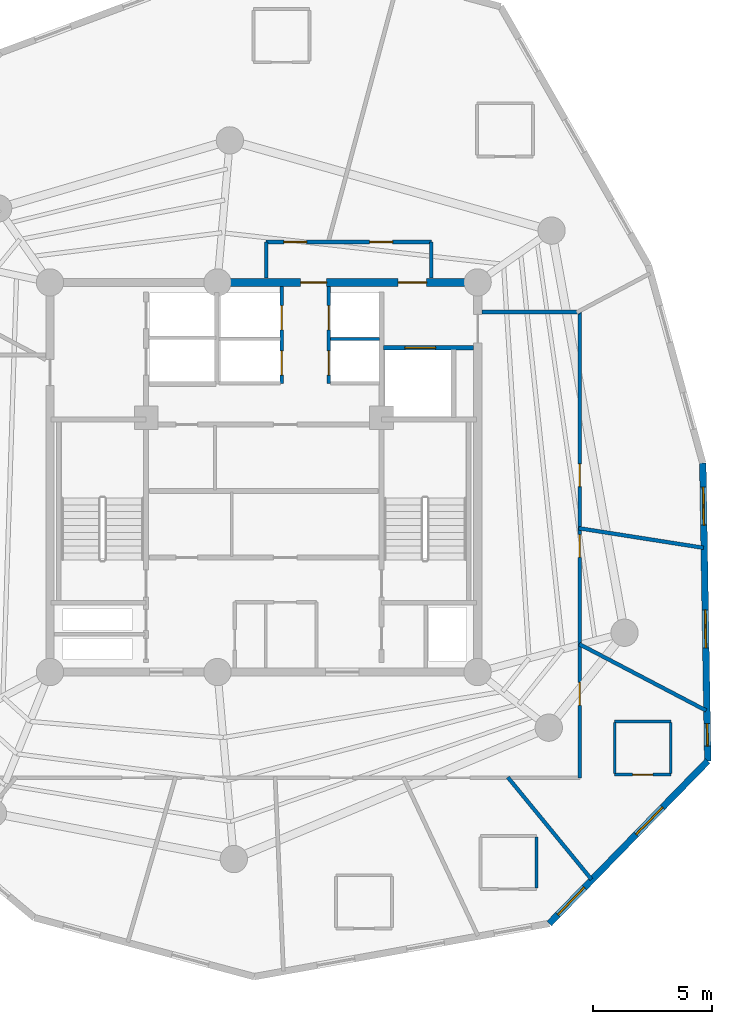
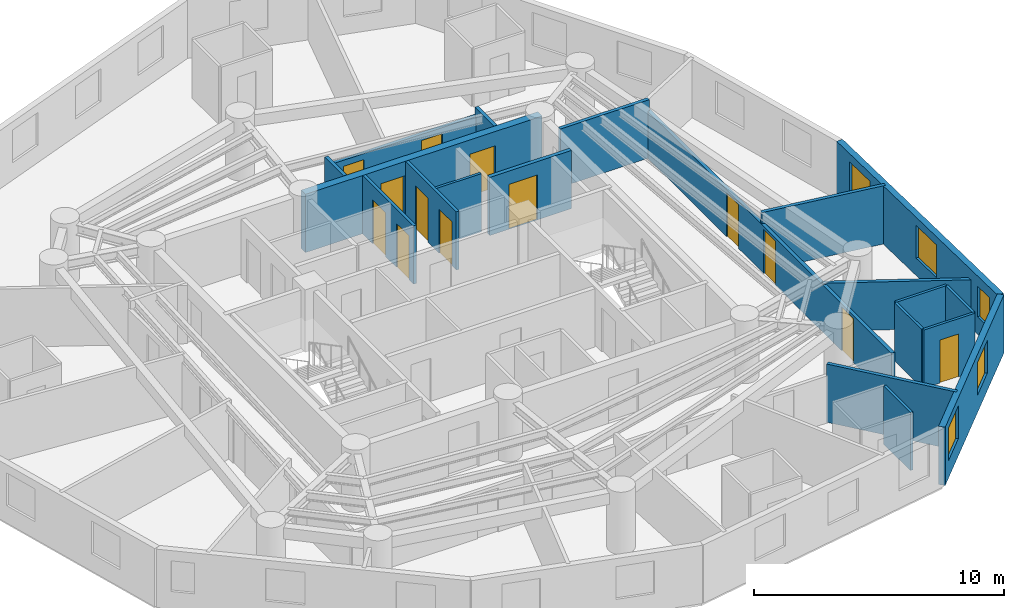
# One storey, part 5 of 7: 20 walls, 13 doors, 5 windows, 18 openings.
"""IFC4 building model written with IfcOpenShell, lengths in metres."""

from ifc_helpers import new_model, si_unit, direction, frame, frame_2d, origin, origin_with_axes, place, context, subcontext, project, spatial, rectangle, extrude, source, transform, mapped, material, layer, layer_set, type_object, element, fill, save


model = new_model("IFC4")

# Units and contexts
model_context = context("Model", 3, precision=1e-05, world=origin(), true_north=direction((0.0, 1.0)))
body_context = subcontext(model_context, "Body", "Model", "MODEL_VIEW")
ifc_project = project(units=[si_unit("LENGTHUNIT", "METRE"), si_unit("AREAUNIT", "SQUARE_METRE"), si_unit("VOLUMEUNIT", "CUBIC_METRE"), si_unit("PLANEANGLEUNIT", "RADIAN"), si_unit("MASSUNIT", "GRAM", prefix="KILO")], contexts=[model_context])

# Site, building, storey
site_placement = place(None, origin())
site = spatial("IfcSite", under=ifc_project, at=site_placement, CompositionType="ELEMENT")
building_placement = place(site_placement, origin())
building = spatial("IfcBuilding", under=site, at=building_placement, Name="Karkom Vertical University and Central Library", CompositionType="ELEMENT")
storey_placement = place(building_placement, frame((0.0, 0.0, 226.050048828125)))
storey = spatial("IfcBuildingStorey", under=building, at=storey_placement, Name="L66", CompositionType="ELEMENT", Elevation=226.050048828125)

# Wall, openings, windows
ifc_material_1 = material(Name="Brick-faced precast concrete C45/55", Category="masonry")
ifc_layer_1 = layer(ifc_material_1, 0.280029296875)
ifc_layer_set_1 = layer_set([ifc_layer_1], Name="Brick-faced precast concrete C45/55")
wall_type_1 = type_object("IfcWallType", Name="ENV-WL-BRK-280", PredefinedType="SOLIDWALL", material=ifc_layer_set_1)
wall_1_placement = place(storey_placement, frame((40.5166015625, 7.71728515625, 0.0), z_axis=(0.0, 0.0, 1.0), x_axis=(0.69791379091, 0.716181778921, 0.0)))
wall_1 = element("IfcWall", 1, at=wall_1_placement, inside=storey, type_object=wall_type_1, Name="Level 66 Brick-Faced Precast Facade Wall 05", PredefinedType="SOLIDWALL", context=body_context, shape_type="SweptSolid", body=[
    extrude(rectangle(XDim=9.5556640625, YDim=0.280029296875, at=frame_2d((4.77783203125, 0.0))), origin(), (0.0, 0.0, 1.0), 2.849853515625),
])
opening_1_placement = place(wall_1_placement, frame((0.516845703125, 0.0, 0.85009765625)))
opening_1 = element("IfcOpeningElement", 2, at=opening_1_placement, cuts=wall_1, Name="Opening WN-10", PredefinedType="OPENING", context=body_context, shape_type="SweptSolid", body=[
    extrude(rectangle(XDim=1.60009765625, YDim=1.60009765625, at=frame_2d((0.800048828125, 0.800048828125))), frame((0.0, 0.14990234375, 0.0), z_axis=(0.0, -1.0, 0.0), x_axis=(1.0, 0.0, 0.0)), (0.0, 0.0, 1.0), 0.300048828125),
])
opening_2_placement = place(wall_1_placement, frame((5.234619140625, 0.0, 0.85009765625)))
opening_2 = element("IfcOpeningElement", 3, at=opening_2_placement, cuts=wall_1, Name="Opening WN-10", PredefinedType="OPENING", context=body_context, shape_type="SweptSolid", body=[
    extrude(rectangle(XDim=1.60009765625, YDim=1.60009765625, at=frame_2d((0.800048828125, 0.800048828125))), frame((0.0, 0.14990234375, 0.0), z_axis=(0.0, -1.0, 0.0), x_axis=(1.0, 0.0, 0.0)), (0.0, 0.0, 1.0), 0.300048828125),
])
ifc_material_2 = material(Name="Aluminium thermal-break frame with solar-control IGU", Category="aluminium")
window_type_1 = type_object("IfcWindowType", Name="ENV-WIN-WN-10", PartitioningType="SINGLE_PANEL", PredefinedType="WINDOW", material=ifc_material_2)
shared_shape_1 = source(origin_with_axes(), body_context, "Body", "SweptSolid", [
    extrude(rectangle(XDim=1.60009765625, YDim=1.60009765625, at=frame_2d((0.800048828125, 0.800048828125))), frame((0.0, 0.030029296875, 0.0), z_axis=(0.0, -1.0, 0.0), x_axis=(1.0, 0.0, 0.0)), (0.0, 0.0, 1.0), 0.06005859375),
])
window_1_placement = place(opening_1_placement, origin())
window_1 = element("IfcWindow", 4, at=window_1_placement, inside=storey, type_object=window_type_1, Name="Level 66 Punched Window 5.1", OverallHeight=1.60009765625, OverallWidth=1.60009765625, PartitioningType="SINGLE_PANEL", PredefinedType="WINDOW", context=body_context, shape_type="MappedRepresentation", body=[
    mapped(shared_shape_1, transform((0.0, 0.0, 0.0), scale=1.0)),
])
fill(opening_1, window_1)
window_2_placement = place(opening_2_placement, origin())
window_2 = element("IfcWindow", 5, at=window_2_placement, inside=storey, type_object=window_type_1, Name="Level 66 Punched Window 5.2", OverallHeight=1.60009765625, OverallWidth=1.60009765625, PartitioningType="SINGLE_PANEL", PredefinedType="WINDOW", context=body_context, shape_type="MappedRepresentation", body=[
    mapped(shared_shape_1, transform((0.0, 0.0, 0.0), scale=1.0)),
])
fill(opening_2, window_2)

wall_2_placement = place(storey_placement, frame((47.185546875, 14.560791015625, 0.0), z_axis=(0.0, 0.0, 1.0), x_axis=(-0.016682840426, 0.999860831734, 0.0)))
wall_2 = element("IfcWall", 6, at=wall_2_placement, inside=storey, type_object=wall_type_1, Name="Level 66 Brick-Faced Precast Facade Wall 06", PredefinedType="SOLIDWALL", context=body_context, shape_type="SweptSolid", body=[
    extrude(rectangle(XDim=12.54150390625, YDim=0.280029296875, at=frame_2d((6.270751953125, 0.0))), origin(), (0.0, 0.0, 1.0), 2.849853515625),
])
opening_3_placement = place(wall_2_placement, frame((0.623779296875, 0.0, 0.85009765625)))
opening_3 = element("IfcOpeningElement", 7, at=opening_3_placement, cuts=wall_2, Name="Opening WN-12", PredefinedType="OPENING", context=body_context, shape_type="SweptSolid", body=[
    extrude(rectangle(XDim=0.949951171875, YDim=1.5, at=frame_2d((0.47509765625, 0.75))), frame((0.0, 0.14990234375, 0.0), z_axis=(0.0, -1.0, 0.0), x_axis=(1.0, 0.0, 0.0)), (0.0, 0.0, 1.0), 0.300048828125),
])
opening_4_placement = place(wall_2_placement, frame((4.756591796875, 0.0, 0.85009765625)))
opening_4 = element("IfcOpeningElement", 8, at=opening_4_placement, cuts=wall_2, Name="Opening WN-10", PredefinedType="OPENING", context=body_context, shape_type="SweptSolid", body=[
    extrude(rectangle(XDim=1.60009765625, YDim=1.60009765625, at=frame_2d((0.800048828125, 0.800048828125))), frame((0.0, 0.14990234375, 0.0), z_axis=(0.0, -1.0, 0.0), x_axis=(1.0, 0.0, 0.0)), (0.0, 0.0, 1.0), 0.300048828125),
])
opening_5_placement = place(wall_2_placement, frame((9.928466796875, 0.0, 0.85009765625)))
opening_5 = element("IfcOpeningElement", 9, at=opening_5_placement, cuts=wall_2, Name="Opening WN-10", PredefinedType="OPENING", context=body_context, shape_type="SweptSolid", body=[
    extrude(rectangle(XDim=1.60009765625, YDim=1.60009765625, at=frame_2d((0.800048828125, 0.800048828125))), frame((0.0, 0.14990234375, 0.0), z_axis=(0.0, -1.0, 0.0), x_axis=(1.0, 0.0, 0.0)), (0.0, 0.0, 1.0), 0.300048828125),
])
window_type_2 = type_object("IfcWindowType", Name="ENV-WIN-WN-12", PartitioningType="SINGLE_PANEL", PredefinedType="WINDOW", material=ifc_material_2)
shared_shape_2 = source(origin_with_axes(), body_context, "Body", "SweptSolid", [
    extrude(rectangle(XDim=0.949951171875, YDim=1.5, at=frame_2d((0.47509765625, 0.75))), frame((0.0, 0.030029296875, 0.0), z_axis=(0.0, -1.0, 0.0), x_axis=(1.0, 0.0, 0.0)), (0.0, 0.0, 1.0), 0.06005859375),
])
window_3_placement = place(opening_3_placement, origin())
window_3 = element("IfcWindow", 10, at=window_3_placement, inside=storey, type_object=window_type_2, Name="Level 66 Punched Window 6.1", OverallHeight=1.5, OverallWidth=0.949951171875, PartitioningType="SINGLE_PANEL", PredefinedType="WINDOW", context=body_context, shape_type="MappedRepresentation", body=[
    mapped(shared_shape_2, transform((0.0, 0.0, 0.0), scale=1.0)),
])
fill(opening_3, window_3)
window_4_placement = place(opening_4_placement, origin())
window_4 = element("IfcWindow", 11, at=window_4_placement, inside=storey, type_object=window_type_1, Name="Level 66 Punched Window 6.2", OverallHeight=1.60009765625, OverallWidth=1.60009765625, PartitioningType="SINGLE_PANEL", PredefinedType="WINDOW", context=body_context, shape_type="MappedRepresentation", body=[
    mapped(shared_shape_1, transform((0.0, 0.0, 0.0), scale=1.0)),
])
fill(opening_4, window_4)
window_5_placement = place(opening_5_placement, origin())
window_5 = element("IfcWindow", 12, at=window_5_placement, inside=storey, type_object=window_type_1, Name="Level 66 Punched Window 6.3", OverallHeight=1.60009765625, OverallWidth=1.60009765625, PartitioningType="SINGLE_PANEL", PredefinedType="WINDOW", context=body_context, shape_type="MappedRepresentation", body=[
    mapped(shared_shape_1, transform((0.0, 0.0, 0.0), scale=1.0)),
])
fill(opening_5, window_5)

# Wall, openings, doors
ifc_material_3 = material(Name="Insulated metal-stud drywall 160mm", Category="gypsum")
ifc_layer_2 = layer(ifc_material_3, 0.159912109375)
ifc_layer_set_2 = layer_set([ifc_layer_2], Name="Insulated metal-stud drywall 160mm")
wall_type_2 = type_object("IfcWallType", Name="INT-WL-COR-160", PredefinedType="PARTITIONING", material=ifc_layer_set_2)
wall_3_placement = place(storey_placement, frame((41.800048828125, 33.449951171875, 0.0), z_axis=(0.0, 0.0, 1.0), x_axis=(0.0, -1.0, 0.0)))
wall_3 = element("IfcWall", 13, at=wall_3_placement, inside=storey, type_object=wall_type_2, Name="Level 66 Interior Partition Wall L66-CORW-CW-005", PredefinedType="PARTITIONING", context=body_context, shape_type="SweptSolid", body=[
    extrude(rectangle(XDim=19.599853515625, YDim=0.159912109375, at=frame_2d((9.7998046875, 0.0))), origin(), (0.0, 0.0, 1.0), 2.300048828125),
])
opening_6_placement = place(wall_3_placement, frame((15.587890625, 0.0, 0.0)))
opening_6 = element("IfcOpeningElement", 14, at=opening_6_placement, cuts=wall_3, Name="Opening FD-RM2", PredefinedType="OPENING", context=body_context, shape_type="SweptSolid", body=[
    extrude(rectangle(XDim=0.9599609375, YDim=2.14990234375, at=frame_2d((0.47998046875, 1.074951171875))), frame((0.0, 0.08984375, 0.0), z_axis=(0.0, -1.0, 0.0), x_axis=(1.0, 0.0, 0.0)), (0.0, 0.0, 1.0), 0.179931640625),
])
opening_7_placement = place(wall_3_placement, frame((9.364990234375, 0.0, 0.0)))
opening_7 = element("IfcOpeningElement", 15, at=opening_7_placement, cuts=wall_3, Name="Opening FD-RM2", PredefinedType="OPENING", context=body_context, shape_type="SweptSolid", body=[
    extrude(rectangle(XDim=0.9599609375, YDim=2.14990234375, at=frame_2d((0.47998046875, 1.074951171875))), frame((0.0, 0.08984375, 0.0), z_axis=(0.0, -1.0, 0.0), x_axis=(1.0, 0.0, 0.0)), (0.0, 0.0, 1.0), 0.179931640625),
])
opening_8_placement = place(wall_3_placement, frame((6.385009765625, 0.0, 0.0)))
opening_8 = element("IfcOpeningElement", 16, at=opening_8_placement, cuts=wall_3, Name="Opening FD-RM2", PredefinedType="OPENING", context=body_context, shape_type="SweptSolid", body=[
    extrude(rectangle(XDim=0.9599609375, YDim=2.14990234375, at=frame_2d((0.47998046875, 1.074951171875))), frame((0.0, 0.08984375, 0.0), z_axis=(0.0, -1.0, 0.0), x_axis=(1.0, 0.0, 0.0)), (0.0, 0.0, 1.0), 0.179931640625),
])
ifc_material_4 = material(Name="Fire-rated oak veneer door", Category="wood")
door_type_1 = type_object("IfcDoorType", Name="INT-DR-FRM2", OperationType="NOTDEFINED", PredefinedType="DOOR", material=ifc_material_4)
shared_shape_3 = source(origin_with_axes(), body_context, "Body", "SweptSolid", [
    extrude(rectangle(XDim=0.9599609375, YDim=2.14990234375, at=frame_2d((0.47998046875, 1.074951171875))), frame((0.0, 0.02490234375, 0.0), z_axis=(0.0, -1.0, 0.0), x_axis=(1.0, 0.0, 0.0)), (0.0, 0.0, 1.0), 0.050048828125),
])
door_1_placement = place(opening_6_placement, origin())
door_1 = element("IfcDoor", 17, at=door_1_placement, inside=storey, type_object=door_type_1, Name="Level 66 Room Entry Door 414", OperationType="SINGLE_SWING_RIGHT", OverallHeight=2.14990234375, OverallWidth=0.9599609375, PredefinedType="DOOR", context=body_context, shape_type="MappedRepresentation", body=[
    mapped(shared_shape_3, transform((0.0, 0.0, 0.0), scale=1.0)),
])
fill(opening_6, door_1)
door_2_placement = place(opening_7_placement, origin())
door_2 = element("IfcDoor", 18, at=door_2_placement, inside=storey, type_object=door_type_1, Name="Level 66 Room Entry Door 308", OperationType="SINGLE_SWING_RIGHT", OverallHeight=2.14990234375, OverallWidth=0.9599609375, PredefinedType="DOOR", context=body_context, shape_type="MappedRepresentation", body=[
    mapped(shared_shape_3, transform((0.0, 0.0, 0.0), scale=1.0)),
])
fill(opening_7, door_2)
door_3_placement = place(opening_8_placement, origin())
door_3 = element("IfcDoor", 19, at=door_3_placement, inside=storey, type_object=door_type_1, Name="Level 66 Room Entry Door 309", OperationType="SINGLE_SWING_LEFT", OverallHeight=2.14990234375, OverallWidth=0.9599609375, PredefinedType="DOOR", context=body_context, shape_type="MappedRepresentation", body=[
    mapped(shared_shape_3, transform((0.0, 0.0, 0.0), scale=1.0)),
])
fill(opening_8, door_3)

wall_4_placement = place(storey_placement, frame((28.60009765625, 36.39990234375, 0.0), z_axis=(0.0, 0.0, 1.0), x_axis=(1.0, 0.0, 0.0)))
wall_4 = element("IfcWall", 20, at=wall_4_placement, inside=storey, type_object=wall_type_2, Name="Level 66 Interior Partition Wall L66-CORW-CW-007", PredefinedType="PARTITIONING", context=body_context, shape_type="SweptSolid", body=[
    extrude(rectangle(XDim=6.949951171875, YDim=0.159912109375, at=frame_2d((3.47509765625, 0.0))), origin(), (0.0, 0.0, 1.0), 2.449951171875),
])
opening_9_placement = place(wall_4_placement, frame((4.358154296875, 0.0, 0.0)))
opening_9 = element("IfcOpeningElement", 21, at=opening_9_placement, cuts=wall_4, Name="Opening FD-RM2", PredefinedType="OPENING", context=body_context, shape_type="SweptSolid", body=[
    extrude(rectangle(XDim=0.9599609375, YDim=2.14990234375, at=frame_2d((0.47998046875, 1.074951171875))), frame((0.0, 0.08984375, 0.0), z_axis=(0.0, -1.0, 0.0), x_axis=(1.0, 0.0, 0.0)), (0.0, 0.0, 1.0), 0.179931640625),
])
opening_10_placement = place(wall_4_placement, frame((0.740966796875, 0.0, 0.0)))
opening_10 = element("IfcOpeningElement", 22, at=opening_10_placement, cuts=wall_4, Name="Opening FD-RM2", PredefinedType="OPENING", context=body_context, shape_type="SweptSolid", body=[
    extrude(rectangle(XDim=0.9599609375, YDim=2.14990234375, at=frame_2d((0.47998046875, 1.074951171875))), frame((0.0, 0.08984375, 0.0), z_axis=(0.0, -1.0, 0.0), x_axis=(1.0, 0.0, 0.0)), (0.0, 0.0, 1.0), 0.179931640625),
])
door_4_placement = place(opening_9_placement, origin())
door_4 = element("IfcDoor", 23, at=door_4_placement, inside=storey, type_object=door_type_1, Name="Level 66 Room Entry Door 420", OperationType="SINGLE_SWING_RIGHT", OverallHeight=2.14990234375, OverallWidth=0.9599609375, PredefinedType="DOOR", context=body_context, shape_type="MappedRepresentation", body=[
    mapped(shared_shape_3, transform((0.0, 0.0, 0.0), scale=1.0)),
])
fill(opening_9, door_4)
door_5_placement = place(opening_10_placement, origin())
door_5 = element("IfcDoor", 24, at=door_5_placement, inside=storey, type_object=door_type_1, Name="Level 66 Room Entry Door 422", OperationType="SINGLE_SWING_RIGHT", OverallHeight=2.14990234375, OverallWidth=0.9599609375, PredefinedType="DOOR", context=body_context, shape_type="MappedRepresentation", body=[
    mapped(shared_shape_3, transform((0.0, 0.0, 0.0), scale=1.0)),
])
fill(opening_10, door_5)

# Walls
wall_5_placement = place(storey_placement, frame((41.7734375, 19.479736328125, 0.0), z_axis=(0.0, 0.0, 1.0), x_axis=(0.885850546282, -0.463970699131, 0.0)))
element("IfcWall", 25, at=wall_5_placement, inside=storey, type_object=wall_type_2, Name="Level 66 Interior Partition Wall L66-PW-010", PredefinedType="PARTITIONING", context=body_context, shape_type="SweptSolid", body=[
    extrude(rectangle(XDim=6.0322265625, YDim=0.159912109375, at=frame_2d((3.01611328125, 0.0))), origin(), (0.0, 0.0, 1.0), 2.349853515625),
])
wall_6_placement = place(storey_placement, frame((38.77001953125, 13.873291015625, 0.0), z_axis=(0.0, 0.0, 1.0), x_axis=(0.633835753928, -0.773467670328, 0.0)))
element("IfcWall", 26, at=wall_6_placement, inside=storey, type_object=wall_type_2, Name="Level 66 Interior Partition Wall L66-PW-009", PredefinedType="PARTITIONING", context=body_context, shape_type="SweptSolid", body=[
    extrude(rectangle(XDim=5.556640625, YDim=0.159912109375, at=frame_2d((2.7783203125, 0.0))), origin(), (0.0, 0.0, 1.0), 2.849853515625),
])
wall_7_placement = place(storey_placement, frame((41.755615234375, 24.354736328125, 0.0), z_axis=(0.0, 0.0, 1.0), x_axis=(0.987863244452, -0.155326141587, 0.0)))
element("IfcWall", 27, at=wall_7_placement, inside=storey, type_object=wall_type_2, Name="Level 66 Interior Partition Wall L66-PW-011", PredefinedType="PARTITIONING", context=body_context, shape_type="SweptSolid", body=[
    extrude(rectangle(XDim=5.31884765625, YDim=0.159912109375, at=frame_2d((2.659423828125, 0.0))), origin(), (0.0, 0.0, 1.0), 2.849853515625),
])
wall_8_placement = place(storey_placement, frame((37.681884765625, 33.449951171875, 0.0), z_axis=(0.0, 0.0, 1.0), x_axis=(1.0, 0.0, 0.0)))
element("IfcWall", 28, at=wall_8_placement, inside=storey, type_object=wall_type_2, Name="Level 66 Interior Partition Wall L66-CORW-CW-004", PredefinedType="PARTITIONING", context=body_context, shape_type="SweptSolid", body=[
    extrude(rectangle(XDim=4.1181640625, YDim=0.159912109375, at=frame_2d((2.05908203125, 0.0))), origin(), (0.0, 0.0, 1.0), 2.849853515625),
])
for number, where, z_axis, x_axis, name in (
    (29, (28.60009765625, 34.882080078125, 0.0), (0.0, 0.0, 1.0), (0.0, 1.0, 0.0), "Level 66 Interior Partition Wall L66-CORW-CW-006"),
    (30, (35.550048828125, 36.39990234375, 0.0), (0.0, 0.0, 1.0), (0.0, -1.0, 0.0), "Level 66 Interior Partition Wall L66-CORW-CW-008"),
):
    element("IfcWall", number, at=place(storey_placement, frame(where, z_axis=z_axis, x_axis=x_axis)), inside=storey, type_object=wall_type_2, Name=name, PredefinedType="PARTITIONING", context=body_context, shape_type="SweptSolid", body=[
        extrude(rectangle(XDim=1.517822265625, YDim=0.159912109375, at=frame_2d((0.7587890625, 0.0))), origin(), (0.0, 0.0, 1.0), 2.849853515625),
    ])

# Wall, opening, door
ifc_material_5 = material(Name="Moisture-resistant drywall 120mm", Category="gypsum")
ifc_layer_3 = layer(ifc_material_5, 0.1201171875)
ifc_layer_set_3 = layer_set([ifc_layer_3], Name="Moisture-resistant drywall 120mm")
wall_type_3 = type_object("IfcWallType", Name="INT-WL-INT-120F", PredefinedType="PARTITIONING", material=ifc_layer_set_3)
wall_9_placement = place(storey_placement, frame((43.27001953125, 13.98291015625, 0.0), z_axis=(0.0, 0.0, 1.0), x_axis=(1.0, 0.0, 0.0)))
wall_9 = element("IfcWall", 31, at=wall_9_placement, inside=storey, type_object=wall_type_3, Name="Level 66 Interior Partition Wall L66-ENS-47-S", PredefinedType="PARTITIONING", context=body_context, shape_type="SweptSolid", body=[
    extrude(rectangle(XDim=2.35986328125, YDim=0.1201171875, at=frame_2d((1.179931640625, 0.0))), origin(), (0.0, 0.0, 1.0), 2.849853515625),
])
opening_11_placement = place(wall_9_placement, frame((0.75, 0.0, 0.0)))
opening_11 = element("IfcOpeningElement", 32, at=opening_11_placement, cuts=wall_9, Name="Opening D-BATH", PredefinedType="OPENING", context=body_context, shape_type="SweptSolid", body=[
    extrude(rectangle(XDim=0.860107421875, YDim=2.10009765625, at=frame_2d((0.43017578125, 1.050048828125))), frame((0.0, 0.070068359375, 0.0), z_axis=(0.0, -1.0, 0.0), x_axis=(1.0, 0.0, 0.0)), (0.0, 0.0, 1.0), 0.14013671875),
])
ifc_material_6 = material(Name="Moisture-resistant oak door", Category="wood")
door_type_2 = type_object("IfcDoorType", Name="INT-DR-BATH", OperationType="NOTDEFINED", PredefinedType="DOOR", material=ifc_material_6)
shared_shape_4 = source(origin_with_axes(), body_context, "Body", "SweptSolid", [
    extrude(rectangle(XDim=0.860107421875, YDim=2.10009765625, at=frame_2d((0.43017578125, 1.050048828125))), frame((0.0, 0.02490234375, 0.0), z_axis=(0.0, -1.0, 0.0), x_axis=(1.0, 0.0, 0.0)), (0.0, 0.0, 1.0), 0.050048828125),
])
door_6_placement = place(opening_11_placement, origin())
door_6 = element("IfcDoor", 33, at=door_6_placement, inside=storey, type_object=door_type_2, Name="Level 66 En-Suite Bathroom Door 47", OperationType="SINGLE_SWING_LEFT", OverallHeight=2.10009765625, OverallWidth=0.860107421875, PredefinedType="DOOR", context=body_context, shape_type="MappedRepresentation", body=[
    mapped(shared_shape_4, transform((0.0, 0.0, 0.0), scale=1.0)),
])
fill(opening_11, door_6)

# Walls
wall_10_placement = place(storey_placement, frame((45.6298828125, 16.222900390625, 0.0), z_axis=(0.0, 0.0, 1.0), x_axis=(-1.0, 0.0, 0.0)))
element("IfcWall", 34, at=wall_10_placement, inside=storey, type_object=wall_type_3, Name="Level 66 Interior Partition Wall L66-ENS-47-N", PredefinedType="PARTITIONING", context=body_context, shape_type="SweptSolid", body=[
    extrude(rectangle(XDim=2.35986328125, YDim=0.1201171875, at=frame_2d((1.179931640625, 0.0))), origin(), (0.0, 0.0, 1.0), 2.849853515625),
])
wall_11_placement = place(storey_placement, frame((39.97998046875, 9.217041015625, 0.0), z_axis=(0.0, 0.0, 1.0), x_axis=(0.0, 1.0, 0.0)))
element("IfcWall", 35, at=wall_11_placement, inside=storey, type_object=wall_type_3, Name="Level 66 Interior Partition Wall L66-ENS-46-E", PredefinedType="PARTITIONING", context=body_context, shape_type="SweptSolid", body=[
    extrude(rectangle(XDim=2.139892578125, YDim=0.1201171875, at=frame_2d((1.06982421875, 0.0))), origin(), (0.0, 0.0, 1.0), 2.849853515625),
])
for number, where, z_axis, x_axis, name in (
    (36, (45.6298828125, 14.032958984375, 0.0), (0.0, 0.0, 1.0), (0.0, 1.0, 0.0), "Level 66 Interior Partition Wall L66-ENS-47-E"),
    (37, (43.27001953125, 16.173095703125, 0.0), (0.0, 0.0, 1.0), (0.0, -1.0, 0.0), "Level 66 Interior Partition Wall L66-ENS-47-W"),
):
    element("IfcWall", number, at=place(storey_placement, frame(where, z_axis=z_axis, x_axis=x_axis)), inside=storey, type_object=wall_type_3, Name=name, PredefinedType="PARTITIONING", context=body_context, shape_type="SweptSolid", body=[
        extrude(rectangle(XDim=2.14013671875, YDim=0.1201171875, at=frame_2d((1.070068359375, 0.0))), origin(), (0.0, 0.0, 1.0), 2.849853515625),
    ])
ifc_layer_4 = layer(ifc_material_5, 0.1201171875)
ifc_layer_set_4 = layer_set([ifc_layer_4], Name="Moisture-resistant drywall 120mm")
wall_type_4 = type_object("IfcWallType", Name="INT-WL-INT-120H", PredefinedType="PARTITIONING", material=ifc_layer_set_4)
wall_12_placement = place(storey_placement, frame((31.300048828125, 32.320068359375, 0.0), z_axis=(0.0, 0.0, 1.0), x_axis=(1.0, 0.0, 0.0)))
element("IfcWall", 38, at=wall_12_placement, inside=storey, type_object=wall_type_4, Name="Level 66 Interior Partition Wall L66-CW-PH-ME", PredefinedType="PARTITIONING", context=body_context, shape_type="SweptSolid", body=[
    extrude(rectangle(XDim=2.074951171875, YDim=0.1201171875, at=frame_2d((1.03759765625, 0.0))), origin(), (0.0, 0.0, 1.0), 2.849853515625),
])

# Wall, openings, doors
ifc_material_7 = material(Name="Metal-stud gypsum partition 140mm", Category="gypsum")
ifc_layer_5 = layer(ifc_material_7, 0.139892578125)
ifc_layer_set_5 = layer_set([ifc_layer_5], Name="Metal-stud gypsum partition 140mm")
wall_type_5 = type_object("IfcWallType", Name="INT-WL-SUB-140H", PredefinedType="PARTITIONING", material=ifc_layer_set_5)
wall_13_placement = place(storey_placement, frame((29.260009765625, 30.449951171875, 0.0), z_axis=(0.0, 0.0, 1.0), x_axis=(0.0, 1.0, 0.0)))
wall_13 = element("IfcWall", 39, at=wall_13_placement, inside=storey, type_object=wall_type_5, Name="Level 66 Interior Partition Wall L66-CW-PH-W", PredefinedType="PARTITIONING", context=body_context, shape_type="SweptSolid", body=[
    extrude(rectangle(XDim=4.068115234375, YDim=0.139892578125, at=frame_2d((2.0341796875, 0.0))), origin(), (0.0, 0.0, 1.0), 2.849853515625),
])
opening_12_placement = place(wall_13_placement, frame((0.35009765625, 0.0, 0.0)))
opening_12 = element("IfcOpeningElement", 40, at=opening_12_placement, cuts=wall_13, Name="Opening LD-PH", PredefinedType="OPENING", context=body_context, shape_type="SweptSolid", body=[
    extrude(rectangle(XDim=1.02001953125, YDim=2.14990234375, at=frame_2d((0.510009765625, 1.074951171875))), frame((0.0, 0.080078125, 0.0), z_axis=(0.0, -1.0, 0.0), x_axis=(1.0, 0.0, 0.0)), (0.0, 0.0, 1.0), 0.159912109375),
])
opening_13_placement = place(wall_13_placement, frame((2.25, 0.0, 0.0)))
opening_13 = element("IfcOpeningElement", 41, at=opening_13_placement, cuts=wall_13, Name="Opening LD-PH", PredefinedType="OPENING", context=body_context, shape_type="SweptSolid", body=[
    extrude(rectangle(XDim=1.02001953125, YDim=2.14990234375, at=frame_2d((0.510009765625, 1.074951171875))), frame((0.0, 0.080078125, 0.0), z_axis=(0.0, -1.0, 0.0), x_axis=(1.0, 0.0, 0.0)), (0.0, 0.0, 1.0), 0.159912109375),
])
ifc_material_8 = material(Name="Brushed stainless-steel landing door", Category="steel")
door_type_3 = type_object("IfcDoorType", Name="INT-DR-LD-PH", OperationType="SLIDING_TO_LEFT", PredefinedType="DOOR", material=ifc_material_8)
shared_shape_5 = source(origin_with_axes(), body_context, "Body", "SweptSolid", [
    extrude(rectangle(XDim=1.02001953125, YDim=2.14990234375, at=frame_2d((0.510009765625, 1.074951171875))), frame((0.0, 0.02490234375, 0.0), z_axis=(0.0, -1.0, 0.0), x_axis=(1.0, 0.0, 0.0)), (0.0, 0.0, 1.0), 0.050048828125),
])
door_7_placement = place(opening_12_placement, origin())
door_7 = element("IfcDoor", 42, at=door_7_placement, inside=storey, type_object=door_type_3, Name="Level 66 Lift PH-1 Landing Door", OperationType="SLIDING_TO_LEFT", OverallHeight=2.14990234375, OverallWidth=1.02001953125, PredefinedType="DOOR", context=body_context, shape_type="MappedRepresentation", body=[
    mapped(shared_shape_5, transform((0.0, 0.0, 0.0), scale=1.0)),
])
fill(opening_12, door_7)
door_8_placement = place(opening_13_placement, origin())
door_8 = element("IfcDoor", 43, at=door_8_placement, inside=storey, type_object=door_type_3, Name="Level 66 Lift PH-2 Landing Door", OperationType="SLIDING_TO_LEFT", OverallHeight=2.14990234375, OverallWidth=1.02001953125, PredefinedType="DOOR", context=body_context, shape_type="MappedRepresentation", body=[
    mapped(shared_shape_5, transform((0.0, 0.0, 0.0), scale=1.0)),
])
fill(opening_13, door_8)

wall_14_placement = place(storey_placement, frame((31.239990234375, 30.449951171875, 0.0), z_axis=(0.0, 0.0, 1.0), x_axis=(0.0, 1.0, 0.0)))
wall_14 = element("IfcWall", 44, at=wall_14_placement, inside=storey, type_object=wall_type_5, Name="Level 66 Interior Partition Wall L66-CW-PH-E", PredefinedType="PARTITIONING", context=body_context, shape_type="SweptSolid", body=[
    extrude(rectangle(XDim=4.068115234375, YDim=0.139892578125, at=frame_2d((2.0341796875, 0.0))), origin(), (0.0, 0.0, 1.0), 2.849853515625),
])
opening_14_placement = place(wall_14_placement, frame((0.35009765625, 0.0, 0.0)))
opening_14 = element("IfcOpeningElement", 45, at=opening_14_placement, cuts=wall_14, Name="Opening LD-PH", PredefinedType="OPENING", context=body_context, shape_type="SweptSolid", body=[
    extrude(rectangle(XDim=1.02001953125, YDim=2.14990234375, at=frame_2d((0.510009765625, 1.074951171875))), frame((0.0, 0.080078125, 0.0), z_axis=(0.0, -1.0, 0.0), x_axis=(1.0, 0.0, 0.0)), (0.0, 0.0, 1.0), 0.159912109375),
])
opening_15_placement = place(wall_14_placement, frame((2.25, 0.0, 0.0)))
opening_15 = element("IfcOpeningElement", 46, at=opening_15_placement, cuts=wall_14, Name="Opening LD-PH", PredefinedType="OPENING", context=body_context, shape_type="SweptSolid", body=[
    extrude(rectangle(XDim=1.02001953125, YDim=2.14990234375, at=frame_2d((0.510009765625, 1.074951171875))), frame((0.0, 0.080078125, 0.0), z_axis=(0.0, -1.0, 0.0), x_axis=(1.0, 0.0, 0.0)), (0.0, 0.0, 1.0), 0.159912109375),
])
door_9_placement = place(opening_14_placement, origin())
door_9 = element("IfcDoor", 47, at=door_9_placement, inside=storey, type_object=door_type_3, Name="Level 66 Lift PH-3 Landing Door", OperationType="SLIDING_TO_LEFT", OverallHeight=2.14990234375, OverallWidth=1.02001953125, PredefinedType="DOOR", context=body_context, shape_type="MappedRepresentation", body=[
    mapped(shared_shape_5, transform((0.0, 0.0, 0.0), scale=1.0)),
])
fill(opening_14, door_9)
door_10_placement = place(opening_15_placement, origin())
door_10 = element("IfcDoor", 48, at=door_10_placement, inside=storey, type_object=door_type_3, Name="Level 66 Lift PH-4 Landing Door", OperationType="SLIDING_TO_LEFT", OverallHeight=2.14990234375, OverallWidth=1.02001953125, PredefinedType="DOOR", context=body_context, shape_type="MappedRepresentation", body=[
    mapped(shared_shape_5, transform((0.0, 0.0, 0.0), scale=1.0)),
])
fill(opening_15, door_10)

# Wall, opening, door
ifc_material_9 = material(Name="Twin-stud acoustic drywall 180mm", Category="gypsum")
ifc_layer_6 = layer(ifc_material_9, 0.179931640625)
ifc_layer_set_6 = layer_set([ifc_layer_6], Name="Twin-stud acoustic drywall 180mm")
wall_type_6 = type_object("IfcWallType", Name="INT-WL-TEN-180F", PredefinedType="PARTITIONING", material=ifc_layer_set_6)
wall_15_placement = place(storey_placement, frame((33.534912109375, 31.949951171875, 0.0), z_axis=(0.0, 0.0, 1.0), x_axis=(1.0, 0.0, 0.0)))
wall_15 = element("IfcWall", 49, at=wall_15_placement, inside=storey, type_object=wall_type_6, Name="Level 66 Interior Partition Wall L66-CW-SVL-N", PredefinedType="PARTITIONING", context=body_context, shape_type="SweptSolid", body=[
    extrude(rectangle(XDim=3.783935546875, YDim=0.179931640625, at=frame_2d((1.89208984375, 0.0))), origin(), (0.0, 0.0, 1.0), 2.849853515625),
])
opening_16_placement = place(wall_15_placement, frame((0.89990234375, 0.0, 0.0)))
opening_16 = element("IfcOpeningElement", 50, at=opening_16_placement, cuts=wall_15, Name="Opening LD-SV1", PredefinedType="OPENING", context=body_context, shape_type="SweptSolid", body=[
    extrude(rectangle(XDim=1.300048828125, YDim=2.199951171875, at=frame_2d((0.64990234375, 1.10009765625))), frame((0.0, 0.10009765625, 0.0), z_axis=(0.0, -1.0, 0.0), x_axis=(1.0, 0.0, 0.0)), (0.0, 0.0, 1.0), 0.199951171875),
])
door_type_4 = type_object("IfcDoorType", Name="INT-DR-LD-SV1", OperationType="SLIDING_TO_LEFT", PredefinedType="DOOR", material=ifc_material_8)
shared_shape_6 = source(origin_with_axes(), body_context, "Body", "SweptSolid", [
    extrude(rectangle(XDim=1.300048828125, YDim=2.199951171875, at=frame_2d((0.64990234375, 1.10009765625))), frame((0.0, 0.02490234375, 0.0), z_axis=(0.0, -1.0, 0.0), x_axis=(1.0, 0.0, 0.0)), (0.0, 0.0, 1.0), 0.050048828125),
])
door_11_placement = place(opening_16_placement, origin())
door_11 = element("IfcDoor", 51, at=door_11_placement, inside=storey, type_object=door_type_4, Name="Level 66 Service Lift Landing Door LD-SV1", OperationType="SLIDING_TO_LEFT", OverallHeight=2.199951171875, OverallWidth=1.300048828125, PredefinedType="DOOR", context=body_context, shape_type="MappedRepresentation", body=[
    mapped(shared_shape_6, transform((0.0, 0.0, 0.0), scale=1.0)),
])
fill(opening_16, door_11)

# Wall, openings, doors
ifc_material_10 = material(Name="Concrete C45/55", Category="concrete")
ifc_layer_7 = layer(ifc_material_10, 0.35009765625)
ifc_layer_set_7 = layer_set([ifc_layer_7], Name="Concrete C45/55")
wall_type_7 = type_object("IfcWallType", Name="STR-WL-CW-350", PredefinedType="SHEAR", material=ifc_layer_set_7)
wall_16_placement = place(storey_placement, frame((37.5, 34.699951171875, 0.0), z_axis=(0.0, 0.0, 1.0), x_axis=(-1.0, 0.0, 0.0)))
wall_16 = element("IfcWall", 52, at=wall_16_placement, inside=storey, type_object=wall_type_7, Name="Level 66 Central Core Shear Wall NW1", PredefinedType="SHEAR", context=body_context, shape_type="SweptSolid", body=[
    extrude(rectangle(XDim=10.949951171875, YDim=0.35009765625, at=frame_2d((5.47509765625, 0.0))), origin(), (0.0, 0.0, 1.0), 2.849853515625),
])
opening_17_placement = place(wall_16_placement, frame((2.14990234375, 0.0, 0.0)))
opening_17 = element("IfcOpeningElement", 53, at=opening_17_placement, cuts=wall_16, Name="Opening FD-SUB1", PredefinedType="OPENING", context=body_context, shape_type="SweptSolid", body=[
    extrude(rectangle(XDim=1.199951171875, YDim=2.14990234375, at=frame_2d((0.60009765625, 1.074951171875))), frame((0.0, 0.18505859375, 0.0), z_axis=(0.0, -1.0, 0.0), x_axis=(1.0, 0.0, 0.0)), (0.0, 0.0, 1.0), 0.3701171875),
])
opening_18_placement = place(wall_16_placement, frame((6.35009765625, 0.0, 0.0)))
opening_18 = element("IfcOpeningElement", 54, at=opening_18_placement, cuts=wall_16, Name="Opening FD-FFL", PredefinedType="OPENING", context=body_context, shape_type="SweptSolid", body=[
    extrude(rectangle(XDim=1.10009765625, YDim=2.14990234375, at=frame_2d((0.550048828125, 1.074951171875))), frame((0.0, 0.18505859375, 0.0), z_axis=(0.0, -1.0, 0.0), x_axis=(1.0, 0.0, 0.0)), (0.0, 0.0, 1.0), 0.3701171875),
])
ifc_material_11 = material(Name="Painted steel smoke-seal fire door", Category="steel")
door_type_5 = type_object("IfcDoorType", Name="INT-DR-FFL", OperationType="NOTDEFINED", PredefinedType="DOOR", material=ifc_material_11)
shared_shape_7 = source(origin_with_axes(), body_context, "Body", "SweptSolid", [
    extrude(rectangle(XDim=1.10009765625, YDim=2.14990234375, at=frame_2d((0.550048828125, 1.074951171875))), frame((0.0, 0.02490234375, 0.0), z_axis=(0.0, -1.0, 0.0), x_axis=(1.0, 0.0, 0.0)), (0.0, 0.0, 1.0), 0.050048828125),
])
door_12_placement = place(opening_18_placement, origin())
door_12 = element("IfcDoor", 55, at=door_12_placement, inside=storey, type_object=door_type_5, Name="Level 66 North Core Lobby Exit Door", OperationType="SINGLE_SWING_RIGHT", OverallHeight=2.14990234375, OverallWidth=1.10009765625, PredefinedType="DOOR", context=body_context, shape_type="MappedRepresentation", body=[
    mapped(shared_shape_7, transform((0.0, 0.0, 0.0), scale=1.0)),
])
fill(opening_18, door_12)
ifc_material_12 = material(Name="Painted steel fire door", Category="steel")
door_type_6 = type_object("IfcDoorType", Name="INT-DR-SUB1", OperationType="NOTDEFINED", PredefinedType="DOOR", material=ifc_material_12)
shared_shape_8 = source(origin_with_axes(), body_context, "Body", "SweptSolid", [
    extrude(rectangle(XDim=1.199951171875, YDim=2.14990234375, at=frame_2d((0.60009765625, 1.074951171875))), frame((0.0, 0.02490234375, 0.0), z_axis=(0.0, -1.0, 0.0), x_axis=(1.0, 0.0, 0.0)), (0.0, 0.0, 1.0), 0.050048828125),
])
door_13_placement = place(opening_17_placement, origin())
door_13 = element("IfcDoor", 56, at=door_13_placement, inside=storey, type_object=door_type_6, Name="Level 66 Service Lobby Fire Door", OperationType="SINGLE_SWING_RIGHT", OverallHeight=2.14990234375, OverallWidth=1.199951171875, PredefinedType="DOOR", context=body_context, shape_type="MappedRepresentation", body=[
    mapped(shared_shape_8, transform((0.0, 0.0, 0.0), scale=1.0)),
])
fill(opening_17, door_13)

save(model, "model.ifc")
